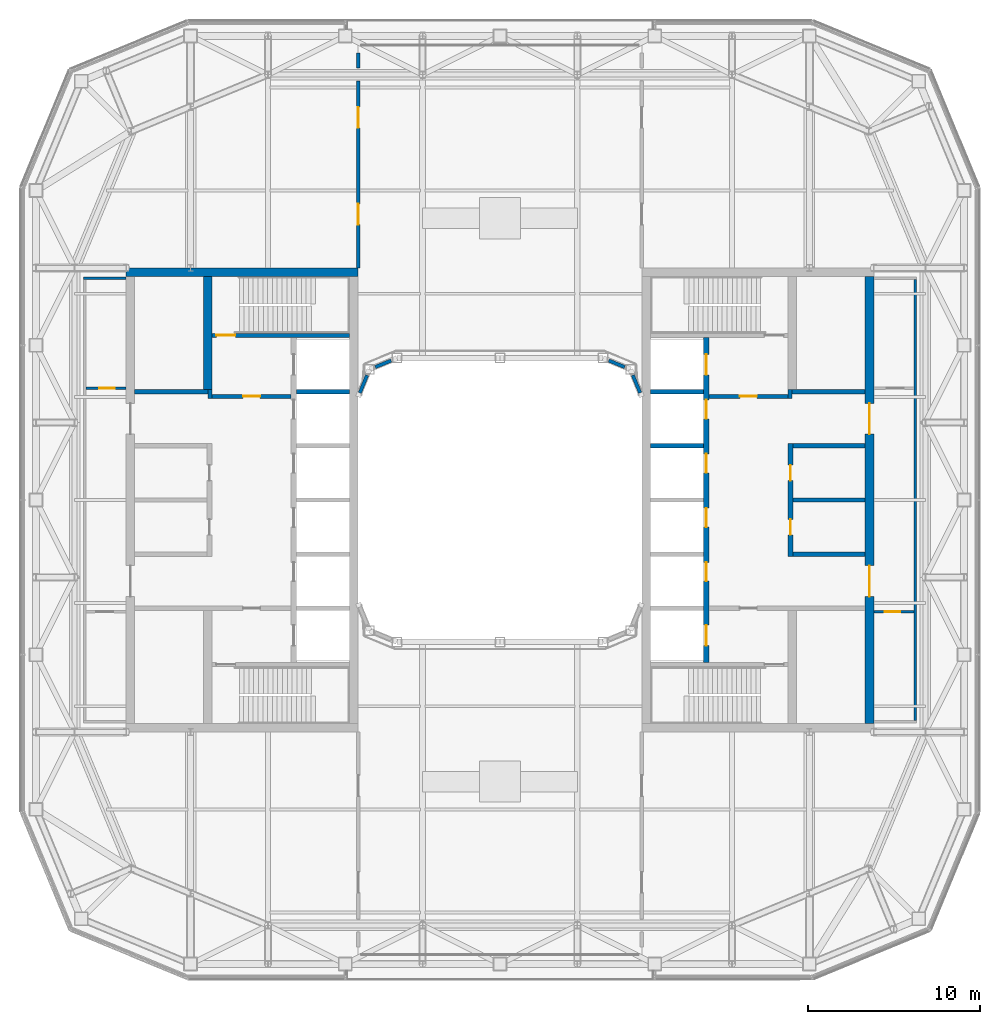
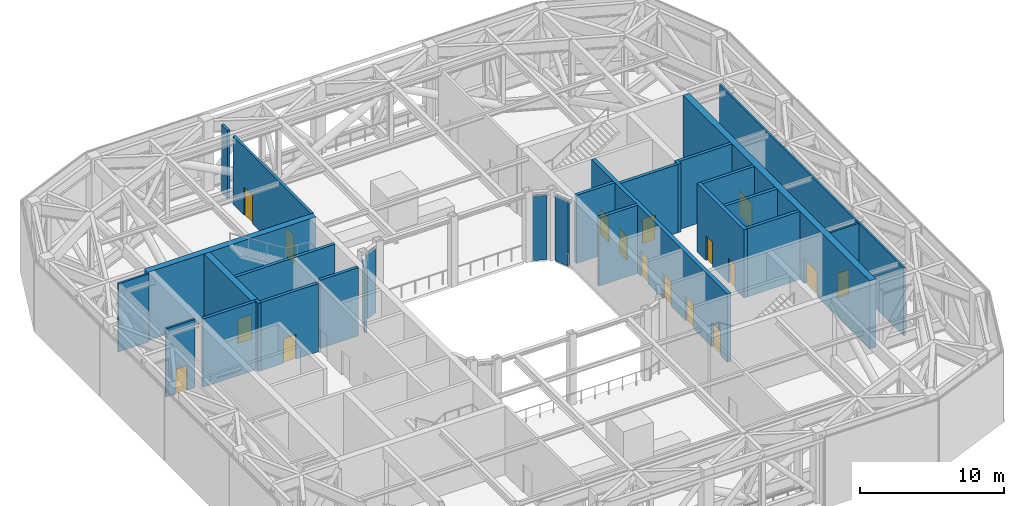
# One storey, part 12 of 21: 28 walls, 17 doors, 17 openings.
"""IFC4 building model written with IfcOpenShell, lengths in metres."""

from ifc_helpers import new_model, si_unit, direction, frame, frame_2d, origin, place, context, subcontext, project, spatial, rectangle, extrude, material, layer, layer_set, type_object, element, fill, save


model = new_model("IFC4")

# Units and contexts
model_context = context("Model", 3, precision=1e-05, world=origin(), true_north=direction((0.0, 1.0)))
body_context = subcontext(model_context, "Body", "Model", "MODEL_VIEW")
ifc_project = project(units=[si_unit("LENGTHUNIT", "METRE"), si_unit("AREAUNIT", "SQUARE_METRE"), si_unit("VOLUMEUNIT", "CUBIC_METRE"), si_unit("PLANEANGLEUNIT", "RADIAN"), si_unit("MASSUNIT", "GRAM", prefix="KILO")], contexts=[model_context])

# Site, building, storey
site_placement = place(None, origin())
site = spatial("IfcSite", under=ifc_project, at=site_placement, CompositionType="ELEMENT")
building_placement = place(site_placement, origin())
building = spatial("IfcBuilding", under=site, at=building_placement, Name="Siwar Civic Tower", CompositionType="ELEMENT")
storey_placement = place(building_placement, frame((0.0, 0.0, 278.199951171875)))
storey = spatial("IfcBuildingStorey", under=building, at=storey_placement, Name="L60", CompositionType="ELEMENT", Elevation=278.199951171875)

# Wall, opening, door
ifc_material_1 = material(Name="Gypsum board on steel studs", Category="steel")
ifc_layer_1 = layer(ifc_material_1, 0.14990234375)
ifc_layer_set_1 = layer_set([ifc_layer_1], Name="Gypsum board on steel studs")
wall_type_1 = type_object("IfcWallType", Name="COMPARTMENT PARTITION 150 EI 60", PredefinedType="PARTITIONING", material=ifc_layer_set_1)
wall_1_placement = place(storey_placement, frame((21.75, -6.5, 0.0), z_axis=(0.0, 0.0, 1.0), x_axis=(1.0, 0.0, 0.0)))
wall_1 = element("IfcWall", 1, at=wall_1_placement, inside=storey, type_object=wall_type_1, Name="L60/wall/P04", PredefinedType="PARTITIONING", context=body_context, shape_type="SweptSolid", body=[
    extrude(rectangle(XDim=2.324951171875, YDim=0.14990234375, at=frame_2d((1.16259765625, 0.0))), origin(), (0.0, 0.0, 1.0), 5.800048828125),
])
opening_1_placement = place(wall_1_placement, frame((0.64990234375, 0.0, 0.0)))
opening_1 = element("IfcOpeningElement", 2, at=opening_1_placement, cuts=wall_1, Name="Opening D4", PredefinedType="OPENING", context=body_context, shape_type="SweptSolid", body=[
    extrude(rectangle(XDim=0.89990234375, YDim=2.10009765625, at=frame_2d((0.449951171875, 1.050048828125))), frame((0.0, 0.0849609375, 0.0), z_axis=(0.0, -1.0, 0.0), x_axis=(1.0, 0.0, 0.0)), (0.0, 0.0, 1.0), 0.169921875),
])
ifc_material_2 = material(Name="Timber, painted", Category="wood")
door_type_1 = type_object("IfcDoorType", Name="DOOR 900 X 2100 FD60", OperationType="SINGLE_SWING_LEFT", PredefinedType="DOOR", material=ifc_material_2)
door_1_placement = place(opening_1_placement, origin())
door_1 = element("IfcDoor", 3, at=door_1_placement, inside=storey, type_object=door_type_1, Name="L60-D02", OperationType="SINGLE_SWING_RIGHT", OverallHeight=2.10009765625, OverallWidth=0.89990234375, PredefinedType="DOOR", context=body_context, shape_type="SweptSolid", body=[
    extrude(rectangle(XDim=0.89990234375, YDim=2.10009765625, at=frame_2d((0.449951171875, 1.050048828125))), frame((0.0, 0.02490234375, 0.0), z_axis=(0.0, -1.0, 0.0), x_axis=(1.0, 0.0, 0.0)), (0.0, 0.0, 1.0), 0.050048828125),
])
fill(opening_1, door_1)

wall_2_placement = place(storey_placement, frame((-24.074951171875, 6.5, 0.0), z_axis=(0.0, 0.0, 1.0), x_axis=(1.0, 0.0, 0.0)))
wall_2 = element("IfcWall", 4, at=wall_2_placement, inside=storey, type_object=wall_type_1, Name="L60/wall/P05", PredefinedType="PARTITIONING", context=body_context, shape_type="SweptSolid", body=[
    extrude(rectangle(XDim=2.324951171875, YDim=0.14990234375, at=frame_2d((1.16259765625, 0.0))), origin(), (0.0, 0.0, 1.0), 5.800048828125),
])
opening_2_placement = place(wall_2_placement, frame((0.77490234375, 0.0, 0.0)))
opening_2 = element("IfcOpeningElement", 5, at=opening_2_placement, cuts=wall_2, Name="Opening D4", PredefinedType="OPENING", context=body_context, shape_type="SweptSolid", body=[
    extrude(rectangle(XDim=0.89990234375, YDim=2.10009765625, at=frame_2d((0.449951171875, 1.050048828125))), frame((0.0, 0.0849609375, 0.0), z_axis=(0.0, -1.0, 0.0), x_axis=(1.0, 0.0, 0.0)), (0.0, 0.0, 1.0), 0.169921875),
])
door_2_placement = place(opening_2_placement, origin())
door_2 = element("IfcDoor", 6, at=door_2_placement, inside=storey, type_object=door_type_1, Name="L60-D03", OperationType="SINGLE_SWING_LEFT", OverallHeight=2.10009765625, OverallWidth=0.89990234375, PredefinedType="DOOR", context=body_context, shape_type="SweptSolid", body=[
    extrude(rectangle(XDim=0.89990234375, YDim=2.10009765625, at=frame_2d((0.449951171875, 1.050048828125))), frame((0.0, 0.02490234375, 0.0), z_axis=(0.0, -1.0, 0.0), x_axis=(1.0, 0.0, 0.0)), (0.0, 0.0, 1.0), 0.050048828125),
])
fill(opening_2, door_2)

# Walls
wall_3_placement = place(storey_placement, frame((-24.22509765625, 12.89990234375, 0.0), z_axis=(0.0, 0.0, 1.0), x_axis=(1.0, 0.0, 0.0)))
element("IfcWall", 7, at=wall_3_placement, inside=storey, type_object=wall_type_1, Name="L60/wall/P07", PredefinedType="PARTITIONING", context=body_context, shape_type="SweptSolid", body=[
    extrude(rectangle(XDim=2.47509765625, YDim=0.14990234375, at=frame_2d((1.237548828125, 0.0))), origin(), (0.0, 0.0, 1.0), 5.800048828125),
])
wall_4_placement = place(storey_placement, frame((24.14990234375, -12.824951171875, 0.0), z_axis=(0.0, 0.0, 1.0), x_axis=(0.0, 1.0, 0.0)))
element("IfcWall", 8, at=wall_4_placement, inside=storey, type_object=wall_type_1, Name="L60/wall/P10", PredefinedType="PARTITIONING", context=body_context, shape_type="SweptSolid", body=[
    extrude(rectangle(XDim=25.64990234375, YDim=0.14990234375, at=frame_2d((12.824951171875, 0.0))), origin(), (0.0, 0.0, 1.0), 5.800048828125),
])

# Wall, opening, door
ifc_material_3 = material(Name="Concrete C60/75", Category="concrete")
ifc_layer_2 = layer(ifc_material_3, 0.25)
ifc_layer_set_2 = layer_set([ifc_layer_2], Name="Concrete C60/75")
wall_type_2 = type_object("IfcWallType", Name="CORE-WALL-RC250", PredefinedType="SHEAR", material=ifc_layer_set_2)
wall_5_placement = place(storey_placement, frame((-12.14990234375, 6.02490234375, 0.0), z_axis=(0.0, 0.0, 1.0), x_axis=(-1.0, 0.0, 0.0)))
wall_5 = element("IfcWall", 9, at=wall_5_placement, inside=storey, type_object=wall_type_2, Name="Core wall W", PredefinedType="SHEAR", context=body_context, shape_type="SweptSolid", body=[
    extrude(rectangle(XDim=4.60009765625, YDim=0.25, at=frame_2d((2.300048828125, 0.0))), origin(), (0.0, 0.0, 1.0), 5.800048828125),
])
opening_3_placement = place(wall_5_placement, frame((1.800048828125, 0.0, 0.0)))
opening_3 = element("IfcOpeningElement", 10, at=opening_3_placement, cuts=wall_5, Name="Opening L60-CW01", PredefinedType="OPENING", context=body_context, shape_type="SweptSolid", body=[
    extrude(rectangle(XDim=1.0, YDim=2.10009765625, at=frame_2d((0.5, 1.050048828125))), frame((0.0, 0.135009765625, 0.0), z_axis=(0.0, -1.0, 0.0), x_axis=(1.0, 0.0, 0.0)), (0.0, 0.0, 1.0), 0.27001953125),
])
ifc_material_4 = material(Name="Steel door leaf", Category="steel")
door_type_2 = type_object("IfcDoorType", Name="CORE-DOOR-FD30S", OperationType="SINGLE_SWING_LEFT", PredefinedType="DOOR", material=ifc_material_4)
door_3_placement = place(opening_3_placement, origin())
door_3 = element("IfcDoor", 11, at=door_3_placement, inside=storey, type_object=door_type_2, Name="Firefighting lobby door L60-CW01", OperationType="SINGLE_SWING_LEFT", OverallHeight=2.10009765625, OverallWidth=1.0, PredefinedType="DOOR", context=body_context, shape_type="SweptSolid", body=[
    extrude(rectangle(XDim=1.0, YDim=2.10009765625, at=frame_2d((0.5, 1.050048828125))), frame((0.0, 0.02490234375, 0.0), z_axis=(0.0, -1.0, 0.0), x_axis=(1.0, 0.0, 0.0)), (0.0, 0.0, 1.0), 0.050048828125),
])
fill(opening_3, door_3)

# Walls
wall_6_placement = place(storey_placement, frame((-16.875, 5.89990234375, 0.0), z_axis=(0.0, 0.0, 1.0), x_axis=(0.0, 1.0, 0.0)))
element("IfcWall", 12, at=wall_6_placement, inside=storey, type_object=wall_type_2, Name="Core wall W", PredefinedType="SHEAR", context=body_context, shape_type="SweptSolid", body=[
    extrude(rectangle(XDim=0.525146484375, YDim=0.25, at=frame_2d((0.2626953125, 0.0))), origin(), (0.0, 0.0, 1.0), 5.800048828125),
])
wall_7_placement = place(storey_placement, frame((-17.0, 6.300048828125, 0.0), z_axis=(0.0, 0.0, 1.0), x_axis=(-1.0, 0.0, 0.0)))
element("IfcWall", 13, at=wall_7_placement, inside=storey, type_object=wall_type_2, Name="Core wall W", PredefinedType="SHEAR", context=body_context, shape_type="SweptSolid", body=[
    extrude(rectangle(XDim=4.25, YDim=0.25, at=frame_2d((2.125, 0.0))), origin(), (0.0, 0.0, 1.0), 5.800048828125),
])
wall_8_placement = place(storey_placement, frame((-8.75, 6.300048828125, 0.0), z_axis=(0.0, 0.0, 1.0), x_axis=(-1.0, 0.0, 0.0)))
element("IfcWall", 14, at=wall_8_placement, inside=storey, type_object=wall_type_2, Name="Core wall W", PredefinedType="SHEAR", context=body_context, shape_type="SweptSolid", body=[
    extrude(rectangle(XDim=3.10009765625, YDim=0.25, at=frame_2d((1.550048828125, 0.0))), origin(), (0.0, 0.0, 1.0), 5.800048828125),
])

# Wall, opening, door
wall_9_placement = place(storey_placement, frame((-8.75, 9.574951171875, 0.0), z_axis=(0.0, 0.0, 1.0), x_axis=(-1.0, 0.0, 0.0)))
wall_9 = element("IfcWall", 15, at=wall_9_placement, inside=storey, type_object=wall_type_2, Name="Core wall W", PredefinedType="SHEAR", context=body_context, shape_type="SweptSolid", body=[
    extrude(rectangle(XDim=8.0, YDim=0.25, at=frame_2d((4.0, 0.0))), origin(), (0.0, 0.0, 1.0), 5.800048828125),
])
opening_4_placement = place(wall_9_placement, frame((6.64990234375, 0.0, 0.0)))
opening_4 = element("IfcOpeningElement", 16, at=opening_4_placement, cuts=wall_9, Name="Opening L60-CW03", PredefinedType="OPENING", context=body_context, shape_type="SweptSolid", body=[
    extrude(rectangle(XDim=1.10009765625, YDim=2.10009765625, at=frame_2d((0.550048828125, 1.050048828125))), frame((0.0, 0.135009765625, 0.0), z_axis=(0.0, -1.0, 0.0), x_axis=(1.0, 0.0, 0.0)), (0.0, 0.0, 1.0), 0.27001953125),
])
ifc_material_5 = material(Name="Steel door leaf", Category="steel")
door_type_3 = type_object("IfcDoorType", Name="CORE-DOOR-FD60S", OperationType="SINGLE_SWING_LEFT", PredefinedType="DOOR", material=ifc_material_5)
door_4_placement = place(opening_4_placement, origin())
door_4 = element("IfcDoor", 17, at=door_4_placement, inside=storey, type_object=door_type_3, Name="Stair door L60-CW03", OperationType="SINGLE_SWING_RIGHT", OverallHeight=2.10009765625, OverallWidth=1.10009765625, PredefinedType="DOOR", context=body_context, shape_type="SweptSolid", body=[
    extrude(rectangle(XDim=1.10009765625, YDim=2.10009765625, at=frame_2d((0.550048828125, 1.050048828125))), frame((0.0, 0.02490234375, 0.0), z_axis=(0.0, -1.0, 0.0), x_axis=(1.0, 0.0, 0.0)), (0.0, 0.0, 1.0), 0.050048828125),
])
fill(opening_4, door_4)

wall_10_placement = place(storey_placement, frame((12.14990234375, 6.02490234375, 0.0), z_axis=(0.0, 0.0, 1.0), x_axis=(1.0, 0.0, 0.0)))
wall_10 = element("IfcWall", 18, at=wall_10_placement, inside=storey, type_object=wall_type_2, Name="Core wall E", PredefinedType="SHEAR", context=body_context, shape_type="SweptSolid", body=[
    extrude(rectangle(XDim=4.60009765625, YDim=0.25, at=frame_2d((2.300048828125, 0.0))), origin(), (0.0, 0.0, 1.0), 5.800048828125),
])
opening_5_placement = place(wall_10_placement, frame((1.800048828125, 0.0, 0.0)))
opening_5 = element("IfcOpeningElement", 19, at=opening_5_placement, cuts=wall_10, Name="Opening L60-CE01", PredefinedType="OPENING", context=body_context, shape_type="SweptSolid", body=[
    extrude(rectangle(XDim=1.0, YDim=2.10009765625, at=frame_2d((0.5, 1.050048828125))), frame((0.0, 0.135009765625, 0.0), z_axis=(0.0, -1.0, 0.0), x_axis=(1.0, 0.0, 0.0)), (0.0, 0.0, 1.0), 0.27001953125),
])
door_5_placement = place(opening_5_placement, origin())
door_5 = element("IfcDoor", 20, at=door_5_placement, inside=storey, type_object=door_type_2, Name="Firefighting lobby door L60-CE01", OperationType="SINGLE_SWING_RIGHT", OverallHeight=2.10009765625, OverallWidth=1.0, PredefinedType="DOOR", context=body_context, shape_type="SweptSolid", body=[
    extrude(rectangle(XDim=1.0, YDim=2.10009765625, at=frame_2d((0.5, 1.050048828125))), frame((0.0, 0.02490234375, 0.0), z_axis=(0.0, -1.0, 0.0), x_axis=(1.0, 0.0, 0.0)), (0.0, 0.0, 1.0), 0.050048828125),
])
fill(opening_5, door_5)

# Walls
wall_11_placement = place(storey_placement, frame((16.875, 5.89990234375, 0.0), z_axis=(0.0, 0.0, 1.0), x_axis=(0.0, 1.0, 0.0)))
element("IfcWall", 21, at=wall_11_placement, inside=storey, type_object=wall_type_2, Name="Core wall E", PredefinedType="SHEAR", context=body_context, shape_type="SweptSolid", body=[
    extrude(rectangle(XDim=0.525146484375, YDim=0.25, at=frame_2d((0.2626953125, 0.0))), origin(), (0.0, 0.0, 1.0), 5.800048828125),
])
wall_12_placement = place(storey_placement, frame((17.0, 6.300048828125, 0.0), z_axis=(0.0, 0.0, 1.0), x_axis=(1.0, 0.0, 0.0)))
element("IfcWall", 22, at=wall_12_placement, inside=storey, type_object=wall_type_2, Name="Core wall E", PredefinedType="SHEAR", context=body_context, shape_type="SweptSolid", body=[
    extrude(rectangle(XDim=4.25, YDim=0.25, at=frame_2d((2.125, 0.0))), origin(), (0.0, 0.0, 1.0), 5.800048828125),
])
for number, where, z_axis, x_axis, name in (
    (23, (17.050048828125, 0.0, 0.0), (0.0, 0.0, 1.0), (1.0, 0.0, 0.0), "Core wall E"),
    (24, (17.050048828125, 3.14990234375, 0.0), (0.0, 0.0, 1.0), (1.0, 0.0, 0.0), "Core wall E"),
    (25, (17.050048828125, -3.14990234375, 0.0), (0.0, 0.0, 1.0), (1.0, 0.0, 0.0), "Core wall E"),
):
    element("IfcWall", number, at=place(storey_placement, frame(where, z_axis=z_axis, x_axis=x_axis)), inside=storey, type_object=wall_type_2, Name=name, PredefinedType="SHEAR", context=body_context, shape_type="SweptSolid", body=[
        extrude(rectangle(XDim=4.199951171875, YDim=0.25, at=frame_2d((2.10009765625, 0.0))), origin(), (0.0, 0.0, 1.0), 5.800048828125),
    ])
for number, where, z_axis, x_axis, name in (
    (26, (8.75, 3.14990234375, 0.0), (0.0, 0.0, 1.0), (1.0, 0.0, 0.0), "Core wall E"),
    (27, (8.75, 6.300048828125, 0.0), (0.0, 0.0, 1.0), (1.0, 0.0, 0.0), "Core wall E"),
):
    element("IfcWall", number, at=place(storey_placement, frame(where, z_axis=z_axis, x_axis=x_axis)), inside=storey, type_object=wall_type_2, Name=name, PredefinedType="SHEAR", context=body_context, shape_type="SweptSolid", body=[
        extrude(rectangle(XDim=3.10009765625, YDim=0.25, at=frame_2d((1.550048828125, 0.0))), origin(), (0.0, 0.0, 1.0), 5.800048828125),
    ])

# Wall, openings, doors
ifc_material_6 = material(Name="Concrete C60/75", Category="concrete")
ifc_layer_3 = layer(ifc_material_6, 0.300048828125)
ifc_layer_set_3 = layer_set([ifc_layer_3], Name="Concrete C60/75")
wall_type_3 = type_object("IfcWallType", Name="CORE-WALL-RC300", PredefinedType="SHEAR", material=ifc_layer_set_3)
wall_13_placement = place(storey_placement, frame((12.0, -9.449951171875, 0.0), z_axis=(0.0, 0.0, 1.0), x_axis=(0.0, 1.0, 0.0)))
wall_13 = element("IfcWall", 28, at=wall_13_placement, inside=storey, type_object=wall_type_3, Name="Core wall E", PredefinedType="SHEAR", context=body_context, shape_type="SweptSolid", body=[
    extrude(rectangle(XDim=18.89990234375, YDim=0.300048828125, at=frame_2d((9.449951171875, 0.0))), origin(), (0.0, 0.0, 1.0), 5.800048828125),
])
opening_6_placement = place(wall_13_placement, frame((4.72509765625, 0.0, 0.0)))
opening_6 = element("IfcOpeningElement", 29, at=opening_6_placement, cuts=wall_13, Name="Opening L60-CE07", PredefinedType="OPENING", context=body_context, shape_type="SweptSolid", body=[
    extrude(rectangle(XDim=1.10009765625, YDim=2.10009765625, at=frame_2d((0.550048828125, 1.050048828125))), frame((0.0, 0.16015625, 0.0), z_axis=(0.0, -1.0, 0.0), x_axis=(1.0, 0.0, 0.0)), (0.0, 0.0, 1.0), 0.320068359375),
])
opening_7_placement = place(wall_13_placement, frame((7.875, 0.0, 0.0)))
opening_7 = element("IfcOpeningElement", 30, at=opening_7_placement, cuts=wall_13, Name="Opening L60-CE08", PredefinedType="OPENING", context=body_context, shape_type="SweptSolid", body=[
    extrude(rectangle(XDim=1.10009765625, YDim=2.10009765625, at=frame_2d((0.550048828125, 1.050048828125))), frame((0.0, 0.16015625, 0.0), z_axis=(0.0, -1.0, 0.0), x_axis=(1.0, 0.0, 0.0)), (0.0, 0.0, 1.0), 0.320068359375),
])
opening_8_placement = place(wall_13_placement, frame((11.02490234375, 0.0, 0.0)))
opening_8 = element("IfcOpeningElement", 31, at=opening_8_placement, cuts=wall_13, Name="Opening L60-CE09", PredefinedType="OPENING", context=body_context, shape_type="SweptSolid", body=[
    extrude(rectangle(XDim=1.10009765625, YDim=2.10009765625, at=frame_2d((0.550048828125, 1.050048828125))), frame((0.0, 0.16015625, 0.0), z_axis=(0.0, -1.0, 0.0), x_axis=(1.0, 0.0, 0.0)), (0.0, 0.0, 1.0), 0.320068359375),
])
opening_9_placement = place(wall_13_placement, frame((14.175048828125, 0.0, 0.0)))
opening_9 = element("IfcOpeningElement", 32, at=opening_9_placement, cuts=wall_13, Name="Opening L60-CE10", PredefinedType="OPENING", context=body_context, shape_type="SweptSolid", body=[
    extrude(rectangle(XDim=1.10009765625, YDim=2.10009765625, at=frame_2d((0.550048828125, 1.050048828125))), frame((0.0, 0.16015625, 0.0), z_axis=(0.0, -1.0, 0.0), x_axis=(1.0, 0.0, 0.0)), (0.0, 0.0, 1.0), 0.320068359375),
])
opening_10_placement = place(wall_13_placement, frame((16.72509765625, 0.0, 0.0)))
opening_10 = element("IfcOpeningElement", 33, at=opening_10_placement, cuts=wall_13, Name="Opening L60-CE11", PredefinedType="OPENING", context=body_context, shape_type="SweptSolid", body=[
    extrude(rectangle(XDim=1.199951171875, YDim=2.10009765625, at=frame_2d((0.60009765625, 1.050048828125))), frame((0.0, 0.16015625, 0.0), z_axis=(0.0, -1.0, 0.0), x_axis=(1.0, 0.0, 0.0)), (0.0, 0.0, 1.0), 0.320068359375),
])
opening_11_placement = place(wall_13_placement, frame((0.97509765625, 0.0, 0.0)))
opening_11 = element("IfcOpeningElement", 34, at=opening_11_placement, cuts=wall_13, Name="Opening L60-CE12", PredefinedType="OPENING", context=body_context, shape_type="SweptSolid", body=[
    extrude(rectangle(XDim=1.199951171875, YDim=2.10009765625, at=frame_2d((0.60009765625, 1.050048828125))), frame((0.0, 0.16015625, 0.0), z_axis=(0.0, -1.0, 0.0), x_axis=(1.0, 0.0, 0.0)), (0.0, 0.0, 1.0), 0.320068359375),
])
ifc_material_7 = material(Name="Steel door leaf", Category="steel")
door_type_4 = type_object("IfcDoorType", Name="CORE-DOOR-LD", OperationType="DOUBLE_DOOR_SLIDING", PredefinedType="DOOR", material=ifc_material_7)
door_6_placement = place(opening_6_placement, origin())
door_6 = element("IfcDoor", 35, at=door_6_placement, inside=storey, type_object=door_type_4, Name="Landing door HR5 L60-CE07", OperationType="DOUBLE_DOOR_SLIDING", OverallHeight=2.10009765625, OverallWidth=1.10009765625, PredefinedType="DOOR", context=body_context, shape_type="SweptSolid", body=[
    extrude(rectangle(XDim=1.10009765625, YDim=2.10009765625, at=frame_2d((0.550048828125, 1.050048828125))), frame((0.0, 0.02490234375, 0.0), z_axis=(0.0, -1.0, 0.0), x_axis=(1.0, 0.0, 0.0)), (0.0, 0.0, 1.0), 0.050048828125),
])
fill(opening_6, door_6)
door_7_placement = place(opening_7_placement, origin())
door_7 = element("IfcDoor", 36, at=door_7_placement, inside=storey, type_object=door_type_4, Name="Landing door HR6 L60-CE08", OperationType="DOUBLE_DOOR_SLIDING", OverallHeight=2.10009765625, OverallWidth=1.10009765625, PredefinedType="DOOR", context=body_context, shape_type="SweptSolid", body=[
    extrude(rectangle(XDim=1.10009765625, YDim=2.10009765625, at=frame_2d((0.550048828125, 1.050048828125))), frame((0.0, 0.02490234375, 0.0), z_axis=(0.0, -1.0, 0.0), x_axis=(1.0, 0.0, 0.0)), (0.0, 0.0, 1.0), 0.050048828125),
])
fill(opening_7, door_7)
door_8_placement = place(opening_8_placement, origin())
door_8 = element("IfcDoor", 37, at=door_8_placement, inside=storey, type_object=door_type_4, Name="Landing door HR7 L60-CE09", OperationType="DOUBLE_DOOR_SLIDING", OverallHeight=2.10009765625, OverallWidth=1.10009765625, PredefinedType="DOOR", context=body_context, shape_type="SweptSolid", body=[
    extrude(rectangle(XDim=1.10009765625, YDim=2.10009765625, at=frame_2d((0.550048828125, 1.050048828125))), frame((0.0, 0.02490234375, 0.0), z_axis=(0.0, -1.0, 0.0), x_axis=(1.0, 0.0, 0.0)), (0.0, 0.0, 1.0), 0.050048828125),
])
fill(opening_8, door_8)
door_9_placement = place(opening_9_placement, origin())
door_9 = element("IfcDoor", 38, at=door_9_placement, inside=storey, type_object=door_type_4, Name="Landing door HR8 L60-CE10", OperationType="DOUBLE_DOOR_SLIDING", OverallHeight=2.10009765625, OverallWidth=1.10009765625, PredefinedType="DOOR", context=body_context, shape_type="SweptSolid", body=[
    extrude(rectangle(XDim=1.10009765625, YDim=2.10009765625, at=frame_2d((0.550048828125, 1.050048828125))), frame((0.0, 0.02490234375, 0.0), z_axis=(0.0, -1.0, 0.0), x_axis=(1.0, 0.0, 0.0)), (0.0, 0.0, 1.0), 0.050048828125),
])
fill(opening_9, door_9)
ifc_material_8 = material(Name="Steel door leaf", Category="steel")
door_type_5 = type_object("IfcDoorType", Name="CORE-DOOR-LDW", OperationType="DOUBLE_DOOR_SLIDING", PredefinedType="DOOR", material=ifc_material_8)
door_10_placement = place(opening_10_placement, origin())
door_10 = element("IfcDoor", 39, at=door_10_placement, inside=storey, type_object=door_type_5, Name="Landing door FF2 L60-CE11", OperationType="DOUBLE_DOOR_SLIDING", OverallHeight=2.10009765625, OverallWidth=1.199951171875, PredefinedType="DOOR", context=body_context, shape_type="SweptSolid", body=[
    extrude(rectangle(XDim=1.199951171875, YDim=2.10009765625, at=frame_2d((0.60009765625, 1.050048828125))), frame((0.0, 0.02490234375, 0.0), z_axis=(0.0, -1.0, 0.0), x_axis=(1.0, 0.0, 0.0)), (0.0, 0.0, 1.0), 0.050048828125),
])
fill(opening_10, door_10)
door_11_placement = place(opening_11_placement, origin())
door_11 = element("IfcDoor", 40, at=door_11_placement, inside=storey, type_object=door_type_5, Name="Landing door SV2 L60-CE12", OperationType="DOUBLE_DOOR_SLIDING", OverallHeight=2.10009765625, OverallWidth=1.199951171875, PredefinedType="DOOR", context=body_context, shape_type="SweptSolid", body=[
    extrude(rectangle(XDim=1.199951171875, YDim=2.10009765625, at=frame_2d((0.60009765625, 1.050048828125))), frame((0.0, 0.02490234375, 0.0), z_axis=(0.0, -1.0, 0.0), x_axis=(1.0, 0.0, 0.0)), (0.0, 0.0, 1.0), 0.050048828125),
])
fill(opening_11, door_11)

wall_14_placement = place(storey_placement, frame((16.89990234375, -3.27490234375, 0.0), z_axis=(0.0, 0.0, 1.0), x_axis=(0.0, 1.0, 0.0)))
wall_14 = element("IfcWall", 41, at=wall_14_placement, inside=storey, type_object=wall_type_3, Name="Core wall E", PredefinedType="SHEAR", context=body_context, shape_type="SweptSolid", body=[
    extrude(rectangle(XDim=6.5498046875, YDim=0.300048828125, at=frame_2d((3.27490234375, 0.0))), origin(), (0.0, 0.0, 1.0), 5.800048828125),
])
opening_12_placement = place(wall_14_placement, frame((1.25, 0.0, 0.0)))
opening_12 = element("IfcOpeningElement", 42, at=opening_12_placement, cuts=wall_14, Name="Opening L60-CE13", PredefinedType="OPENING", context=body_context, shape_type="SweptSolid", body=[
    extrude(rectangle(XDim=0.89990234375, YDim=2.10009765625, at=frame_2d((0.449951171875, 1.050048828125))), frame((0.0, 0.16015625, 0.0), z_axis=(0.0, -1.0, 0.0), x_axis=(1.0, 0.0, 0.0)), (0.0, 0.0, 1.0), 0.320068359375),
])
opening_13_placement = place(wall_14_placement, frame((4.39990234375, 0.0, 0.0)))
opening_13 = element("IfcOpeningElement", 43, at=opening_13_placement, cuts=wall_14, Name="Opening L60-CE14", PredefinedType="OPENING", context=body_context, shape_type="SweptSolid", body=[
    extrude(rectangle(XDim=0.89990234375, YDim=2.10009765625, at=frame_2d((0.449951171875, 1.050048828125))), frame((0.0, 0.16015625, 0.0), z_axis=(0.0, -1.0, 0.0), x_axis=(1.0, 0.0, 0.0)), (0.0, 0.0, 1.0), 0.320068359375),
])
ifc_material_9 = material(Name="Steel door leaf", Category="steel")
door_type_6 = type_object("IfcDoorType", Name="CORE-DOOR-ROOM", OperationType="SINGLE_SWING_LEFT", PredefinedType="DOOR", material=ifc_material_9)
door_12_placement = place(opening_12_placement, origin())
door_12 = element("IfcDoor", 44, at=door_12_placement, inside=storey, type_object=door_type_6, Name="Core room door L60-CE13", OperationType="SINGLE_SWING_RIGHT", OverallHeight=2.10009765625, OverallWidth=0.89990234375, PredefinedType="DOOR", context=body_context, shape_type="SweptSolid", body=[
    extrude(rectangle(XDim=0.89990234375, YDim=2.10009765625, at=frame_2d((0.449951171875, 1.050048828125))), frame((0.0, 0.02490234375, 0.0), z_axis=(0.0, -1.0, 0.0), x_axis=(1.0, 0.0, 0.0)), (0.0, 0.0, 1.0), 0.050048828125),
])
fill(opening_12, door_12)
door_13_placement = place(opening_13_placement, origin())
door_13 = element("IfcDoor", 45, at=door_13_placement, inside=storey, type_object=door_type_6, Name="Core room door L60-CE14", OperationType="SINGLE_SWING_LEFT", OverallHeight=2.10009765625, OverallWidth=0.89990234375, PredefinedType="DOOR", context=body_context, shape_type="SweptSolid", body=[
    extrude(rectangle(XDim=0.89990234375, YDim=2.10009765625, at=frame_2d((0.449951171875, 1.050048828125))), frame((0.0, 0.02490234375, 0.0), z_axis=(0.0, -1.0, 0.0), x_axis=(1.0, 0.0, 0.0)), (0.0, 0.0, 1.0), 0.050048828125),
])
fill(opening_13, door_13)

# Walls
ifc_material_10 = material(Name="Concrete C60/75", Category="concrete")
ifc_layer_4 = layer(ifc_material_10, 0.5)
ifc_layer_set_4 = layer_set([ifc_layer_4], Name="Concrete C60/75")
wall_type_4 = type_object("IfcWallType", Name="CORE-WALL-RC500", PredefinedType="SHEAR", material=ifc_layer_set_4)
wall_15_placement = place(storey_placement, frame((-17.0, 6.425048828125, 0.0), z_axis=(0.0, 0.0, 1.0), x_axis=(0.0, 1.0, 0.0)))
element("IfcWall", 46, at=wall_15_placement, inside=storey, type_object=wall_type_4, Name="Core wall W", PredefinedType="SHEAR", context=body_context, shape_type="SweptSolid", body=[
    extrude(rectangle(XDim=6.574951171875, YDim=0.5, at=frame_2d((3.28759765625, 0.0))), origin(), (0.0, 0.0, 1.0), 5.800048828125),
])
wall_16_placement = place(storey_placement, frame((-8.25, 13.25, 0.0), z_axis=(0.0, 0.0, 1.0), x_axis=(-1.0, 0.0, 0.0)))
element("IfcWall", 47, at=wall_16_placement, inside=storey, type_object=wall_type_4, Name="Core wall W", PredefinedType="SHEAR", context=body_context, shape_type="SweptSolid", body=[
    extrude(rectangle(XDim=13.5, YDim=0.5, at=frame_2d((6.75, 0.0))), origin(), (0.0, 0.0, 1.0), 5.800048828125),
])

# Wall, openings, doors
wall_17_placement = place(storey_placement, frame((21.5, -13.0, 0.0), z_axis=(0.0, 0.0, 1.0), x_axis=(0.0, 1.0, 0.0)))
wall_17 = element("IfcWall", 48, at=wall_17_placement, inside=storey, type_object=wall_type_4, Name="Core wall E", PredefinedType="SHEAR", context=body_context, shape_type="SweptSolid", body=[
    extrude(rectangle(XDim=26.0, YDim=0.5, at=frame_2d((13.0, 0.0))), origin(), (0.0, 0.0, 1.0), 5.800048828125),
])
opening_14_placement = place(wall_17_placement, frame((16.824951171875, 0.0, 0.0)))
opening_14 = element("IfcOpeningElement", 49, at=opening_14_placement, cuts=wall_17, Name="Opening L60-CE05", PredefinedType="OPENING", context=body_context, shape_type="SweptSolid", body=[
    extrude(rectangle(XDim=1.800048828125, YDim=2.10009765625, at=frame_2d((0.89990234375, 1.050048828125))), frame((0.0, 0.260009765625, 0.0), z_axis=(0.0, -1.0, 0.0), x_axis=(1.0, 0.0, 0.0)), (0.0, 0.0, 1.0), 0.52001953125),
])
opening_15_placement = place(wall_17_placement, frame((7.375, 0.0, 0.0)))
opening_15 = element("IfcOpeningElement", 50, at=opening_15_placement, cuts=wall_17, Name="Opening L60-CE06", PredefinedType="OPENING", context=body_context, shape_type="SweptSolid", body=[
    extrude(rectangle(XDim=1.800048828125, YDim=2.10009765625, at=frame_2d((0.89990234375, 1.050048828125))), frame((0.0, 0.260009765625, 0.0), z_axis=(0.0, -1.0, 0.0), x_axis=(1.0, 0.0, 0.0)), (0.0, 0.0, 1.0), 0.52001953125),
])
ifc_material_11 = material(Name="Steel door leaf", Category="steel")
door_type_7 = type_object("IfcDoorType", Name="CORE-DOOR-PORT", OperationType="DOUBLE_DOOR_DOUBLE_SWING", PredefinedType="DOOR", material=ifc_material_11)
door_14_placement = place(opening_14_placement, origin())
door_14 = element("IfcDoor", 51, at=door_14_placement, inside=storey, type_object=door_type_7, Name="Core entrance door L60-CE05", OperationType="DOUBLE_DOOR_DOUBLE_SWING", OverallHeight=2.10009765625, OverallWidth=1.800048828125, PredefinedType="DOOR", context=body_context, shape_type="SweptSolid", body=[
    extrude(rectangle(XDim=1.800048828125, YDim=2.10009765625, at=frame_2d((0.89990234375, 1.050048828125))), frame((0.0, 0.02490234375, 0.0), z_axis=(0.0, -1.0, 0.0), x_axis=(1.0, 0.0, 0.0)), (0.0, 0.0, 1.0), 0.050048828125),
])
fill(opening_14, door_14)
door_15_placement = place(opening_15_placement, origin())
door_15 = element("IfcDoor", 52, at=door_15_placement, inside=storey, type_object=door_type_7, Name="Core entrance door L60-CE06", OperationType="DOUBLE_DOOR_DOUBLE_SWING", OverallHeight=2.10009765625, OverallWidth=1.800048828125, PredefinedType="DOOR", context=body_context, shape_type="SweptSolid", body=[
    extrude(rectangle(XDim=1.800048828125, YDim=2.10009765625, at=frame_2d((0.89990234375, 1.050048828125))), frame((0.0, 0.02490234375, 0.0), z_axis=(0.0, -1.0, 0.0), x_axis=(1.0, 0.0, 0.0)), (0.0, 0.0, 1.0), 0.050048828125),
])
fill(opening_15, door_15)

ifc_material_12 = material(Name="Aluminium clad insulated panel", Category="aluminium")
ifc_layer_5 = layer(ifc_material_12, 0.199951171875)
ifc_layer_set_5 = layer_set([ifc_layer_5], Name="Aluminium clad insulated panel")
wall_type_5 = type_object("IfcWallType", Name="ENV-PORTAL WALL", PredefinedType="STANDARD", material=ifc_layer_set_5)
wall_18_placement = place(storey_placement, frame((-8.25, 13.5, 0.0), z_axis=(0.0, 0.0, 1.0), x_axis=(0.0, 1.0, 0.0)))
wall_18 = element("IfcWall", 53, at=wall_18_placement, inside=storey, type_object=wall_type_5, Name="Sky portal closing wall NW", PredefinedType="STANDARD", context=body_context, shape_type="SweptSolid", body=[
    extrude(rectangle(XDim=10.864990234375, YDim=0.199951171875, at=frame_2d((5.4326171875, 0.0))), origin(), (0.0, 0.0, 1.0), 5.800048828125),
])
opening_16_placement = place(wall_18_placement, frame((2.52490234375, 0.0, 0.0)))
opening_16 = element("IfcOpeningElement", 54, at=opening_16_placement, cuts=wall_18, Name="Opening D-PT", PredefinedType="OPENING", context=body_context, shape_type="SweptSolid", body=[
    extrude(rectangle(XDim=1.199951171875, YDim=2.39990234375, at=frame_2d((0.60009765625, 1.199951171875))), frame((0.0, 0.10986328125, 0.0), z_axis=(0.0, -1.0, 0.0), x_axis=(1.0, 0.0, 0.0)), (0.0, 0.0, 1.0), 0.219970703125),
])
opening_17_placement = place(wall_18_placement, frame((8.14990234375, 0.0, 0.0)))
opening_17 = element("IfcOpeningElement", 55, at=opening_17_placement, cuts=wall_18, Name="Opening D-PT", PredefinedType="OPENING", context=body_context, shape_type="SweptSolid", body=[
    extrude(rectangle(XDim=1.199951171875, YDim=2.39990234375, at=frame_2d((0.60009765625, 1.199951171875))), frame((0.0, 0.10986328125, 0.0), z_axis=(0.0, -1.0, 0.0), x_axis=(1.0, 0.0, 0.0)), (0.0, 0.0, 1.0), 0.219970703125),
])
ifc_material_13 = material(Name="Aluminium and glass", Category="aluminium")
door_type_8 = type_object("IfcDoorType", Name="ENV-DOOR-PORTAL", OperationType="DOUBLE_DOOR_SINGLE_SWING", PredefinedType="DOOR", material=ifc_material_13)
door_16_placement = place(opening_16_placement, origin())
door_16 = element("IfcDoor", 56, at=door_16_placement, inside=storey, type_object=door_type_8, Name="Sky portal door NW 1", OperationType="DOUBLE_DOOR_SINGLE_SWING", OverallHeight=2.39990234375, OverallWidth=1.199951171875, PredefinedType="DOOR", context=body_context, shape_type="SweptSolid", body=[
    extrude(rectangle(XDim=1.199951171875, YDim=2.39990234375, at=frame_2d((0.60009765625, 1.199951171875))), frame((0.0, 0.02490234375, 0.0), z_axis=(0.0, -1.0, 0.0), x_axis=(1.0, 0.0, 0.0)), (0.0, 0.0, 1.0), 0.050048828125),
])
fill(opening_16, door_16)
door_17_placement = place(opening_17_placement, origin())
door_17 = element("IfcDoor", 57, at=door_17_placement, inside=storey, type_object=door_type_8, Name="Sky portal door NW 2", OperationType="DOUBLE_DOOR_SINGLE_SWING", OverallHeight=2.39990234375, OverallWidth=1.199951171875, PredefinedType="DOOR", context=body_context, shape_type="SweptSolid", body=[
    extrude(rectangle(XDim=1.199951171875, YDim=2.39990234375, at=frame_2d((0.60009765625, 1.199951171875))), frame((0.0, 0.02490234375, 0.0), z_axis=(0.0, -1.0, 0.0), x_axis=(1.0, 0.0, 0.0)), (0.0, 0.0, 1.0), 0.050048828125),
])
fill(opening_17, door_17)

# Walls
wall_19_placement = place(storey_placement, frame((-8.25, 25.135009765625, 0.0), z_axis=(0.0, 0.0, 1.0), x_axis=(0.0, 1.0, 0.0)))
element("IfcWall", 58, at=wall_19_placement, inside=storey, type_object=wall_type_5, Name="Sky portal closing wall NW", PredefinedType="STANDARD", context=body_context, shape_type="SweptSolid", body=[
    extrude(rectangle(XDim=0.864990234375, YDim=0.199951171875, at=frame_2d((0.4326171875, 0.0))), origin(), (0.0, 0.0, 1.0), 5.800048828125),
])
ifc_material_14 = material(Name="Aluminium clad insulated panel", Category="aluminium")
ifc_layer_6 = layer(ifc_material_14, 0.199951171875)
ifc_layer_set_6 = layer_set([ifc_layer_6], Name="Aluminium clad insulated panel")
wall_type_6 = type_object("IfcWallType", Name="ENV-WALL-WELL", PredefinedType="STANDARD", material=ifc_layer_set_6)
wall_20_placement = place(storey_placement, frame((8.154296875, 6.23095703125, 0.0), z_axis=(0.0, 0.0, 1.0), x_axis=(-0.382635994082, 0.923899180665, 0.0)))
element("IfcWall", 59, at=wall_20_placement, inside=storey, type_object=wall_type_6, Name="Light well corner wall NE1", PredefinedType="STANDARD", context=body_context, shape_type="SweptSolid", body=[
    extrude(rectangle(XDim=1.11279296875, YDim=0.199951171875, at=frame_2d((0.556396484375, 0.0))), origin(), (0.0, 0.0, 1.0), 5.4599609375),
])
for number, where, z_axis, x_axis, name in (
    (60, (7.259033203125, 7.728515625, 0.0), (0.0, 0.0, 1.0), (-0.923859650767, 0.382731427616, 0.0), "Light well corner wall NE2"),
    (61, (-6.33203125, 8.112548828125, 0.0), (0.0, 0.0, 1.0), (-0.923859650767, -0.382731427616, 0.0), "Light well corner wall NW1"),
):
    element("IfcWall", number, at=place(storey_placement, frame(where, z_axis=z_axis, x_axis=x_axis)), inside=storey, type_object=wall_type_6, Name=name, PredefinedType="STANDARD", context=body_context, shape_type="SweptSolid", body=[
        extrude(rectangle(XDim=1.00341796875, YDim=0.199951171875, at=frame_2d((0.501708984375, 0.0))), origin(), (0.0, 0.0, 1.0), 5.4599609375),
    ])
wall_21_placement = place(storey_placement, frame((-7.728515625, 7.259033203125, 0.0), z_axis=(0.0, 0.0, 1.0), x_axis=(-0.382635994082, -0.923899180665, 0.0)))
element("IfcWall", 62, at=wall_21_placement, inside=storey, type_object=wall_type_6, Name="Light well corner wall NW2", PredefinedType="STANDARD", context=body_context, shape_type="SweptSolid", body=[
    extrude(rectangle(XDim=1.11279296875, YDim=0.199951171875, at=frame_2d((0.556396484375, 0.0))), origin(), (0.0, 0.0, 1.0), 5.4599609375),
])

save(model, "model.ifc")
